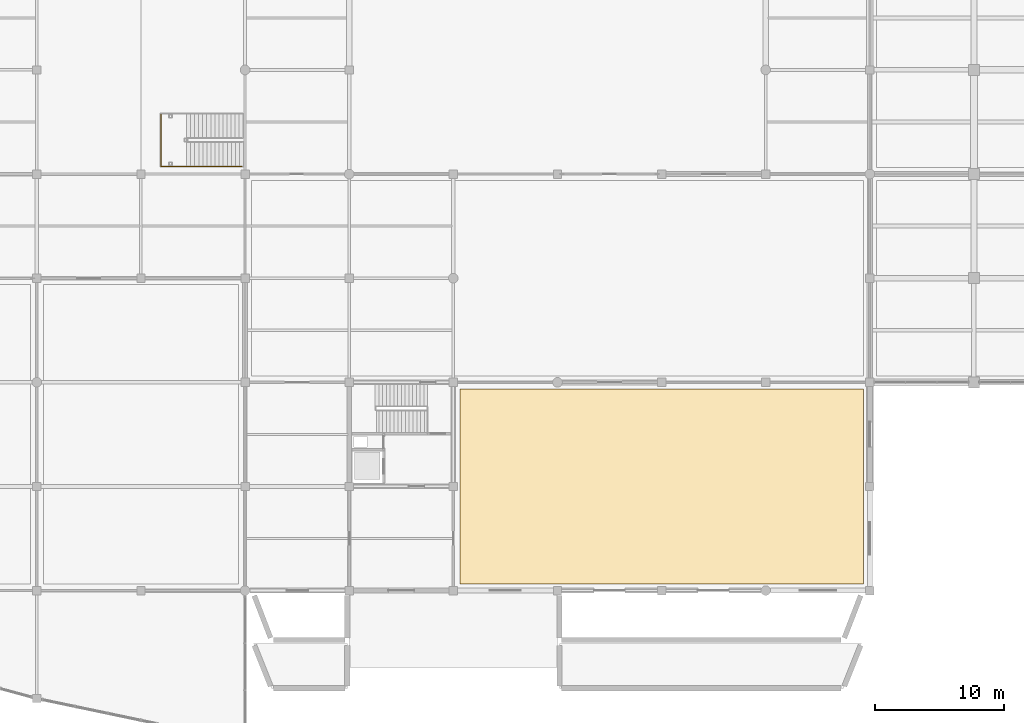
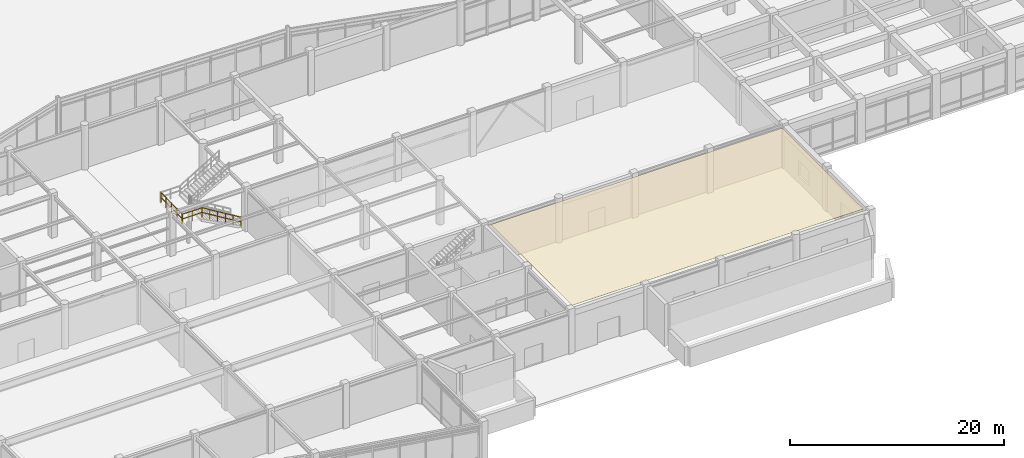
# One storey, part 89 of 99: 2 railings, 1 covering.
"""IFC4 building model written with IfcOpenShell, lengths in metres."""

from ifc_helpers import new_model, si_unit, direction, frame, origin, origin_2d, place, context, subcontext, project, spatial, polyline, circle, outline, extrude, material, layer, layer_set, type_object, element, save


model = new_model("IFC4")

# Units and contexts
model_context = context("Model", 3, precision=1e-05, world=origin(), true_north=direction((0.0, 1.0)))
body_context = subcontext(model_context, "Body", "Model", "MODEL_VIEW")
ifc_project = project(units=[si_unit("LENGTHUNIT", "METRE"), si_unit("AREAUNIT", "SQUARE_METRE"), si_unit("VOLUMEUNIT", "CUBIC_METRE"), si_unit("PLANEANGLEUNIT", "RADIAN"), si_unit("MASSUNIT", "GRAM", prefix="KILO")], contexts=[model_context])

# Site, building, storey
site_placement = place(None, origin())
site = spatial("IfcSite", under=ifc_project, at=site_placement, CompositionType="ELEMENT")
building_placement = place(site_placement, origin())
building = spatial("IfcBuilding", under=site, at=building_placement, Name="Vaudrelin Polytechnic", CompositionType="ELEMENT")
storey_placement = place(building_placement, origin())
storey = spatial("IfcBuildingStorey", under=building, at=storey_placement, Name="L00", CompositionType="ELEMENT", Elevation=0.0)

# Covering
ifc_material_1 = material(Name="Mineral-fibre acoustic ceiling tile NRC 0.85", Category="ceiling")
ifc_layer = layer(ifc_material_1, 0.02490234375)
ifc_layer_set = layer_set([ifc_layer], Name="Mineral-fibre acoustic ceiling tile NRC 0.85")
covering_type = type_object("IfcCoveringType", Name="COV-CLG-ACT", PredefinedType="CEILING", material=ifc_layer_set)
covering_placement = place(storey_placement, frame((0.0, 0.0, 4.794921875)))
element("IfcCovering", 1, at=covering_placement, inside=storey, type_object=covering_type, Name="Acoustic ceiling L00-012", PredefinedType="CEILING", context=body_context, shape_type="SweptSolid", body=[
    extrude(outline(polyline([(97.699951171875, 0.5), (129.10009765625, 0.5), (129.10009765625, 15.699951171875), (97.699951171875, 15.699951171875), (97.699951171875, 0.5)])), origin(), (0.0, 0.0, 1.0), 0.025146484375),
])

# Railings
ifc_material_2 = material(Name="Brushed stainless steel AISI 304", Category="steel")
railing_type = type_object("IfcRailingType", Name="RAL-GR-INT", PredefinedType="GUARDRAIL", material=ifc_material_2)
railing_1_placement = place(storey_placement, frame((80.739990234375, 33.0, 0.0)))
element("IfcRailing", 2, at=railing_1_placement, inside=storey, type_object=railing_type, Name="ST-WG1 outer south guardrail", PredefinedType="GUARDRAIL", context=body_context, shape_type="SweptSolid", body=[
    extrude(circle(Radius=0.02392578125, at=origin_2d()), frame((-0.019775390625, 0.0, 1.108154296875), z_axis=(-0.854230272407, 0.0, 0.519894837157), x_axis=(0.0, -1.0, 0.0)), (0.0, 0.0, 1.0), 4.858642578125),
    extrude(circle(Radius=0.02392578125, at=origin_2d()), frame((-0.019775390625, 0.0, 0.572021484375), z_axis=(-0.854230272407, 0.0, 0.519894837157), x_axis=(0.0, -1.0, 0.0)), (0.0, 0.0, 1.0), 4.858642578125),
    extrude(circle(Radius=0.02392578125, at=origin_2d()), frame((-4.213134765625, 0.0, 3.64599609375), z_axis=(-1.0, 0.0, 0.0), x_axis=(0.0, -1.0, 0.0)), (0.0, 0.0, 1.0), 2.0439453125),
    extrude(circle(Radius=0.02392578125, at=origin_2d()), frame((-4.213134765625, 0.0, 3.110107421875), z_axis=(-1.0, 0.0, 0.0), x_axis=(0.0, -1.0, 0.0)), (0.0, 0.0, 1.0), 2.0439453125),
    extrude(circle(Radius=0.02099609375, at=origin_2d()), origin(), (0.0, 0.0, 1.0), 1.1201171875),
    extrude(circle(Radius=0.02099609375, at=origin_2d()), frame((-0.837890625, 0.0, 0.510009765625)), (0.0, 0.0, 1.0), 1.1201171875),
    extrude(circle(Radius=0.02099609375, at=origin_2d()), frame((-1.676025390625, 0.0, 1.02001953125)), (0.0, 0.0, 1.0), 1.1201171875),
    extrude(circle(Radius=0.02099609375, at=origin_2d()), frame((-2.513916015625, 0.0, 1.530029296875)), (0.0, 0.0, 1.0), 1.1201171875),
    extrude(circle(Radius=0.02099609375, at=origin_2d()), frame((-3.35205078125, 0.0, 2.0400390625)), (0.0, 0.0, 1.0), 1.1201171875),
    extrude(circle(Radius=0.02099609375, at=origin_2d()), frame((-4.18994140625, 0.0, 2.550048828125)), (0.0, 0.0, 1.0), 1.1201171875),
    extrude(circle(Radius=0.02099609375, at=origin_2d()), frame((-5.23486328125, 0.0, 2.550048828125)), (0.0, 0.0, 1.0), 1.1201171875),
    extrude(circle(Radius=0.02099609375, at=origin_2d()), frame((-6.280029296875, 0.0, 2.550048828125)), (0.0, 0.0, 1.0), 1.1201171875),
])
railing_2_placement = place(storey_placement, frame((74.449951171875, 33.050048828125, 2.550048828125)))
element("IfcRailing", 3, at=railing_2_placement, inside=storey, type_object=railing_type, Name="ST-WG1 landing west guardrail", PredefinedType="GUARDRAIL", context=body_context, shape_type="SweptSolid", body=[
    extrude(circle(Radius=0.02392578125, at=origin_2d()), frame((0.0, 0.023193359375, 1.09619140625), z_axis=(0.0, 1.0, 0.0), x_axis=(-1.0, 0.0, 0.0)), (0.0, 0.0, 1.0), 3.953857421875),
    extrude(circle(Radius=0.02392578125, at=origin_2d()), frame((0.0, 0.023193359375, 0.56005859375), z_axis=(0.0, 1.0, 0.0), x_axis=(-1.0, 0.0, 0.0)), (0.0, 0.0, 1.0), 3.953857421875),
    extrude(circle(Radius=0.02099609375, at=origin_2d()), origin(), (0.0, 0.0, 1.0), 1.1201171875),
    extrude(circle(Radius=0.02099609375, at=origin_2d()), frame((0.0, 1.0, 0.0)), (0.0, 0.0, 1.0), 1.1201171875),
    extrude(circle(Radius=0.02099609375, at=origin_2d()), frame((0.0, 2.0, 0.0)), (0.0, 0.0, 1.0), 1.1201171875),
    extrude(circle(Radius=0.02099609375, at=origin_2d()), frame((0.0, 3.0, 0.0)), (0.0, 0.0, 1.0), 1.1201171875),
    extrude(circle(Radius=0.02099609375, at=origin_2d()), frame((0.0, 4.0, 0.0)), (0.0, 0.0, 1.0), 1.1201171875),
])

save(model, "model.ifc")
